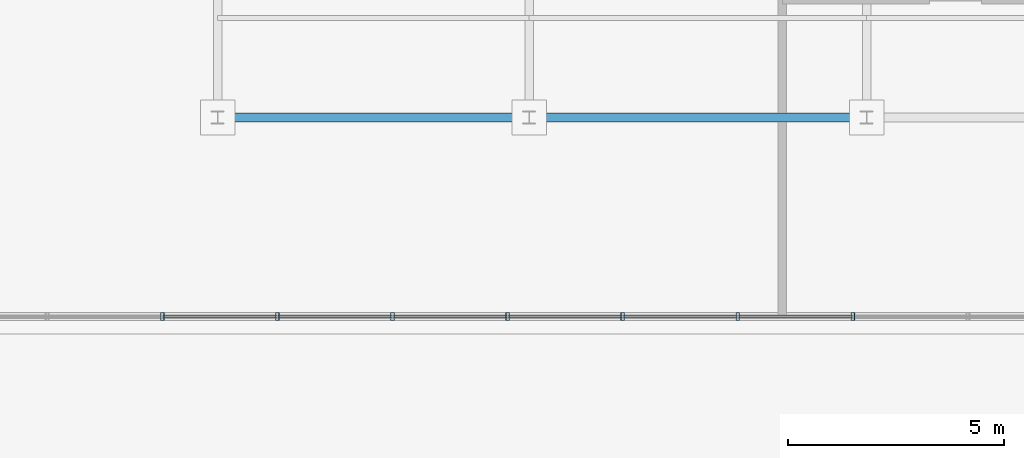
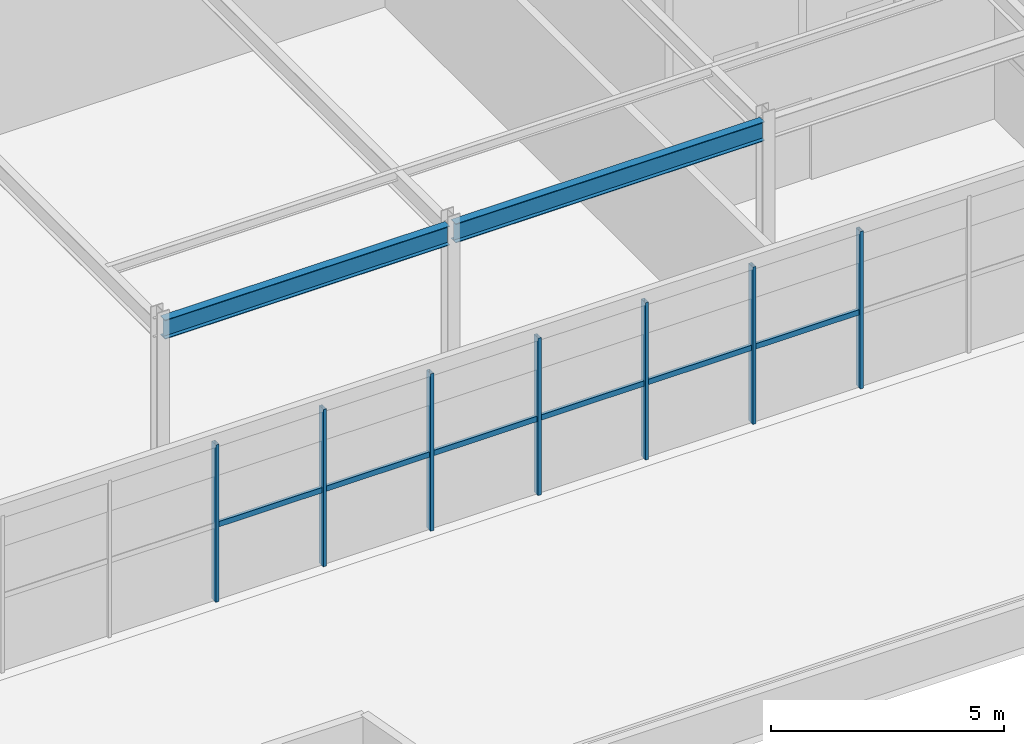
# One storey, part 12 of 38: 13 members, 2 beams, 1 element without a shape of its own.
"""IFC4 building model written with IfcOpenShell, lengths in metres."""

from ifc_helpers import new_model, si_unit, direction, frame, origin, origin_2d, place, context, subcontext, project, spatial, hollow_rectangle, i_section, extrude, source, transform, mapped, material, material_profile, profile_set, type_object, element, aggregate, save


model = new_model("IFC4")

# Units and contexts
model_context = context("Model", 3, precision=1e-05, world=origin(), true_north=direction((0.0, 1.0)))
body_context = subcontext(model_context, "Body", "Model", "MODEL_VIEW")
ifc_project = project(units=[si_unit("LENGTHUNIT", "METRE"), si_unit("AREAUNIT", "SQUARE_METRE"), si_unit("VOLUMEUNIT", "CUBIC_METRE"), si_unit("PLANEANGLEUNIT", "RADIAN"), si_unit("MASSUNIT", "GRAM", prefix="KILO")], contexts=[model_context])

# Site, building, storey
site_placement = place(None, origin())
site = spatial("IfcSite", under=ifc_project, at=site_placement, CompositionType="ELEMENT")
building_placement = place(site_placement, origin())
building = spatial("IfcBuilding", under=site, at=building_placement, Name="Trelvane Seafront Commons", CompositionType="ELEMENT")
storey_placement = place(building_placement, frame((0.0, 0.0, 299.10009765625)))
storey = spatial("IfcBuildingStorey", under=building, at=storey_placement, Name="L78", CompositionType="ELEMENT", Elevation=299.10009765625)

# Beams
ifc_material_1 = material(Name="Steel SM355 (S355)", Category="steel")
ifc_material_profile_1 = material_profile(ifc_material_1, i_section(OverallWidth=0.199951171875, OverallDepth=0.5, WebThickness=0.010009765625, FlangeThickness=0.01611328125, at=origin_2d()), Name="H-500x200x10x16")
ifc_profile_set_1 = profile_set([ifc_material_profile_1], Name="Steel SM355 (S355)")
beam_type = type_object("IfcBeamType", Name="STR-CROWN-FRAME-RING", PredefinedType="SPANDREL", material=ifc_profile_set_1)
shared_shape_1 = source(origin(), body_context, "Body", "SweptSolid", [
    extrude(i_section(OverallWidth=0.199951171875, OverallDepth=0.5, WebThickness=0.010009765625, FlangeThickness=0.01611328125, at=origin_2d()), origin(), (0.0, 0.0, 1.0), 7.050048828125),
])
beam_1_placement = place(storey_placement, frame((43.875, 18.199951171875, 3.869873046875), z_axis=(1.0, 0.0, 0.0), x_axis=(0.0, 1.0, 0.0)))
element("IfcBeam", 1, at=beam_1_placement, inside=storey, type_object=beam_type, Name="L78 CROWN FRAME Ring Beam G-05", PredefinedType="SPANDREL", context=body_context, shape_type="MappedRepresentation", body=[
    mapped(shared_shape_1, transform((0.0, 0.0, 0.0), x_axis=(1.0, 0.0, 0.0), y_axis=(0.0, 1.0, 0.0), z_axis=(0.0, 0.0, 1.0), scale=1.0)),
])
shared_shape_2 = source(origin(), body_context, "Body", "SweptSolid", [
    extrude(i_section(OverallWidth=0.199951171875, OverallDepth=0.5, WebThickness=0.010009765625, FlangeThickness=0.01611328125, at=origin_2d()), origin(), (0.0, 0.0, 1.0), 7.650146484375),
])
beam_2_placement = place(storey_placement, frame((51.074951171875, 18.199951171875, 3.869873046875), z_axis=(1.0, 0.0, 0.0), x_axis=(0.0, 1.0, 0.0)))
element("IfcBeam", 2, at=beam_2_placement, inside=storey, type_object=beam_type, Name="L78 CROWN FRAME Ring Beam G-06", PredefinedType="SPANDREL", context=body_context, shape_type="MappedRepresentation", body=[
    mapped(shared_shape_2, transform((0.0, 0.0, 0.0), x_axis=(1.0, 0.0, 0.0), y_axis=(0.0, 1.0, 0.0), z_axis=(0.0, 0.0, 1.0), scale=1.0)),
])

# Curtain wall, members
ifc_material_2 = material(Name="Anodised pale-silver aluminium", Category="aluminium")
curtain_wall_type = type_object("IfcCurtainWallType", Name="ARCH-CW6-CROWN", PredefinedType="NOTDEFINED", material=ifc_material_2)
curtain_wall_placement = place(storey_placement, origin())
curtain_wall = element("IfcCurtainWall", 3, at=curtain_wall_placement, inside=storey, type_object=curtain_wall_type, Name="CW-L78-0127", PredefinedType="NOTDEFINED")
ifc_material_profile_2 = material_profile(ifc_material_2, hollow_rectangle(XDim=0.080078125, YDim=0.179931640625, WallThickness=0.00439453125, at=origin_2d()), Name="MULL-80x180x4.5")
ifc_profile_set_2 = profile_set([ifc_material_profile_2], Name="Anodised pale-silver aluminium")
member_type_1 = type_object("IfcMemberType", Name="ARCH-CW-MULL-180", PredefinedType="MULLION", material=ifc_profile_set_2)
shared_shape_3 = source(origin(), body_context, "Body", "SweptSolid", [
    extrude(hollow_rectangle(XDim=0.080078125, YDim=0.179931640625, WallThickness=0.00439453125, at=origin_2d()), origin(), (0.0, 0.0, 1.0), 4.119873046875),
])
member_1_placement = place(storey_placement, frame((58.47998046875, 13.60009765625, 0.0), z_axis=(0.0, 0.0, 1.0), x_axis=(1.0, 0.0, 0.0)))
member_1 = element("IfcMember", 4, at=member_1_placement, type_object=member_type_1, Name="CW-L78-0127-M02", PredefinedType="MULLION", context=body_context, shape_type="MappedRepresentation", body=[
    mapped(shared_shape_3, transform((0.0, 0.0, 0.0), x_axis=(1.0, 0.0, 0.0), y_axis=(0.0, 1.0, 0.0), z_axis=(0.0, 0.0, 1.0), scale=1.0)),
])
member_2_placement = place(storey_placement, frame((55.820068359375, 13.60009765625, 0.0), z_axis=(0.0, 0.0, 1.0), x_axis=(1.0, 0.0, 0.0)))
member_2 = element("IfcMember", 5, at=member_2_placement, type_object=member_type_1, Name="CW-L78-0127-M03", PredefinedType="MULLION", context=body_context, shape_type="MappedRepresentation", body=[
    mapped(shared_shape_3, transform((0.0, 0.0, 0.0), x_axis=(1.0, 0.0, 0.0), y_axis=(0.0, 1.0, 0.0), z_axis=(0.0, 0.0, 1.0), scale=1.0)),
])
member_3_placement = place(storey_placement, frame((53.159912109375, 13.60009765625, 0.0), z_axis=(0.0, 0.0, 1.0), x_axis=(1.0, 0.0, 0.0)))
member_3 = element("IfcMember", 6, at=member_3_placement, type_object=member_type_1, Name="CW-L78-0127-M04", PredefinedType="MULLION", context=body_context, shape_type="MappedRepresentation", body=[
    mapped(shared_shape_3, transform((0.0, 0.0, 0.0), x_axis=(1.0, 0.0, 0.0), y_axis=(0.0, 1.0, 0.0), z_axis=(0.0, 0.0, 1.0), scale=1.0)),
])
member_4_placement = place(storey_placement, frame((50.5, 13.60009765625, 0.0), z_axis=(0.0, 0.0, 1.0), x_axis=(1.0, 0.0, 0.0)))
member_4 = element("IfcMember", 7, at=member_4_placement, type_object=member_type_1, Name="CW-L78-0127-M05", PredefinedType="MULLION", context=body_context, shape_type="MappedRepresentation", body=[
    mapped(shared_shape_3, transform((0.0, 0.0, 0.0), x_axis=(1.0, 0.0, 0.0), y_axis=(0.0, 1.0, 0.0), z_axis=(0.0, 0.0, 1.0), scale=1.0)),
])
member_5_placement = place(storey_placement, frame((47.840087890625, 13.60009765625, 0.0), z_axis=(0.0, 0.0, 1.0), x_axis=(1.0, 0.0, 0.0)))
member_5 = element("IfcMember", 8, at=member_5_placement, type_object=member_type_1, Name="CW-L78-0127-M06", PredefinedType="MULLION", context=body_context, shape_type="MappedRepresentation", body=[
    mapped(shared_shape_3, transform((0.0, 0.0, 0.0), x_axis=(1.0, 0.0, 0.0), y_axis=(0.0, 1.0, 0.0), z_axis=(0.0, 0.0, 1.0), scale=1.0)),
])
member_6_placement = place(storey_placement, frame((45.179931640625, 13.60009765625, 0.0), z_axis=(0.0, 0.0, 1.0), x_axis=(1.0, 0.0, 0.0)))
member_6 = element("IfcMember", 9, at=member_6_placement, type_object=member_type_1, Name="CW-L78-0127-M07", PredefinedType="MULLION", context=body_context, shape_type="MappedRepresentation", body=[
    mapped(shared_shape_3, transform((0.0, 0.0, 0.0), x_axis=(1.0, 0.0, 0.0), y_axis=(0.0, 1.0, 0.0), z_axis=(0.0, 0.0, 1.0), scale=1.0)),
])
member_7_placement = place(storey_placement, frame((42.52001953125, 13.60009765625, 0.0), z_axis=(0.0, 0.0, 1.0), x_axis=(1.0, 0.0, 0.0)))
member_7 = element("IfcMember", 10, at=member_7_placement, type_object=member_type_1, Name="CW-L78-0127-M08", PredefinedType="MULLION", context=body_context, shape_type="MappedRepresentation", body=[
    mapped(shared_shape_3, transform((0.0, 0.0, 0.0), x_axis=(1.0, 0.0, 0.0), y_axis=(0.0, 1.0, 0.0), z_axis=(0.0, 0.0, 1.0), scale=1.0)),
])
ifc_material_profile_3 = material_profile(ifc_material_2, hollow_rectangle(XDim=0.074951171875, YDim=0.139892578125, WallThickness=0.00390625, at=origin_2d()), Name="TRAN-75x140x4")
ifc_profile_set_3 = profile_set([ifc_material_profile_3], Name="Anodised pale-silver aluminium")
member_type_2 = type_object("IfcMemberType", Name="ARCH-CW-TRAN-140", PredefinedType="USERDEFINED", material=ifc_profile_set_3)
shared_shape_4 = source(origin(), body_context, "Body", "SweptSolid", [
    extrude(hollow_rectangle(XDim=0.074951171875, YDim=0.139892578125, WallThickness=0.00390625, at=origin_2d()), origin(), (0.0, 0.0, 1.0), 2.635986328125),
])
member_8_placement = place(storey_placement, frame((58.468017578125, 13.60009765625, 1.977783203125), z_axis=(-1.0, 0.0, 0.0), x_axis=(0.0, -1.0, 0.0)))
member_8 = element("IfcMember", 11, at=member_8_placement, type_object=member_type_2, Name="CW-L78-0127-T02", ObjectType="TRANSOM", PredefinedType="USERDEFINED", context=body_context, shape_type="MappedRepresentation", body=[
    mapped(shared_shape_4, transform((0.0, 0.0, 0.0), x_axis=(1.0, 0.0, 0.0), y_axis=(0.0, 1.0, 0.0), z_axis=(0.0, 0.0, 1.0), scale=1.0)),
])
member_9_placement = place(storey_placement, frame((55.80810546875, 13.60009765625, 1.977783203125), z_axis=(-1.0, 0.0, 0.0), x_axis=(0.0, -1.0, 0.0)))
member_9 = element("IfcMember", 12, at=member_9_placement, type_object=member_type_2, Name="CW-L78-0127-T03", ObjectType="TRANSOM", PredefinedType="USERDEFINED", context=body_context, shape_type="MappedRepresentation", body=[
    mapped(shared_shape_4, transform((0.0, 0.0, 0.0), x_axis=(1.0, 0.0, 0.0), y_axis=(0.0, 1.0, 0.0), z_axis=(0.0, 0.0, 1.0), scale=1.0)),
])
member_10_placement = place(storey_placement, frame((53.14794921875, 13.60009765625, 1.977783203125), z_axis=(-1.0, 0.0, 0.0), x_axis=(0.0, -1.0, 0.0)))
member_10 = element("IfcMember", 13, at=member_10_placement, type_object=member_type_2, Name="CW-L78-0127-T04", ObjectType="TRANSOM", PredefinedType="USERDEFINED", context=body_context, shape_type="MappedRepresentation", body=[
    mapped(shared_shape_4, transform((0.0, 0.0, 0.0), x_axis=(1.0, 0.0, 0.0), y_axis=(0.0, 1.0, 0.0), z_axis=(0.0, 0.0, 1.0), scale=1.0)),
])
member_11_placement = place(storey_placement, frame((50.488037109375, 13.60009765625, 1.977783203125), z_axis=(-1.0, 0.0, 0.0), x_axis=(0.0, -1.0, 0.0)))
member_11 = element("IfcMember", 14, at=member_11_placement, type_object=member_type_2, Name="CW-L78-0127-T05", ObjectType="TRANSOM", PredefinedType="USERDEFINED", context=body_context, shape_type="MappedRepresentation", body=[
    mapped(shared_shape_4, transform((0.0, 0.0, 0.0), x_axis=(1.0, 0.0, 0.0), y_axis=(0.0, 1.0, 0.0), z_axis=(0.0, 0.0, 1.0), scale=1.0)),
])
member_12_placement = place(storey_placement, frame((47.827880859375, 13.60009765625, 1.977783203125), z_axis=(-1.0, 0.0, 0.0), x_axis=(0.0, -1.0, 0.0)))
member_12 = element("IfcMember", 15, at=member_12_placement, type_object=member_type_2, Name="CW-L78-0127-T06", ObjectType="TRANSOM", PredefinedType="USERDEFINED", context=body_context, shape_type="MappedRepresentation", body=[
    mapped(shared_shape_4, transform((0.0, 0.0, 0.0), x_axis=(1.0, 0.0, 0.0), y_axis=(0.0, 1.0, 0.0), z_axis=(0.0, 0.0, 1.0), scale=1.0)),
])
member_13_placement = place(storey_placement, frame((45.16796875, 13.60009765625, 1.977783203125), z_axis=(-1.0, 0.0, 0.0), x_axis=(0.0, -1.0, 0.0)))
member_13 = element("IfcMember", 16, at=member_13_placement, type_object=member_type_2, Name="CW-L78-0127-T07", ObjectType="TRANSOM", PredefinedType="USERDEFINED", context=body_context, shape_type="MappedRepresentation", body=[
    mapped(shared_shape_4, transform((0.0, 0.0, 0.0), x_axis=(1.0, 0.0, 0.0), y_axis=(0.0, 1.0, 0.0), z_axis=(0.0, 0.0, 1.0), scale=1.0)),
])
aggregate(curtain_wall, [member_1, member_2, member_3, member_4, member_5, member_6, member_7, member_8, member_9, member_10, member_11, member_12, member_13])

save(model, "model.ifc")
